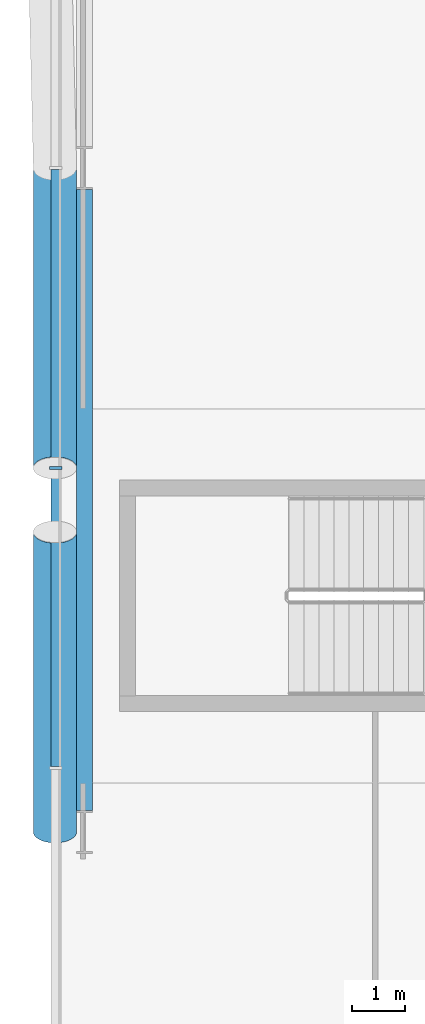
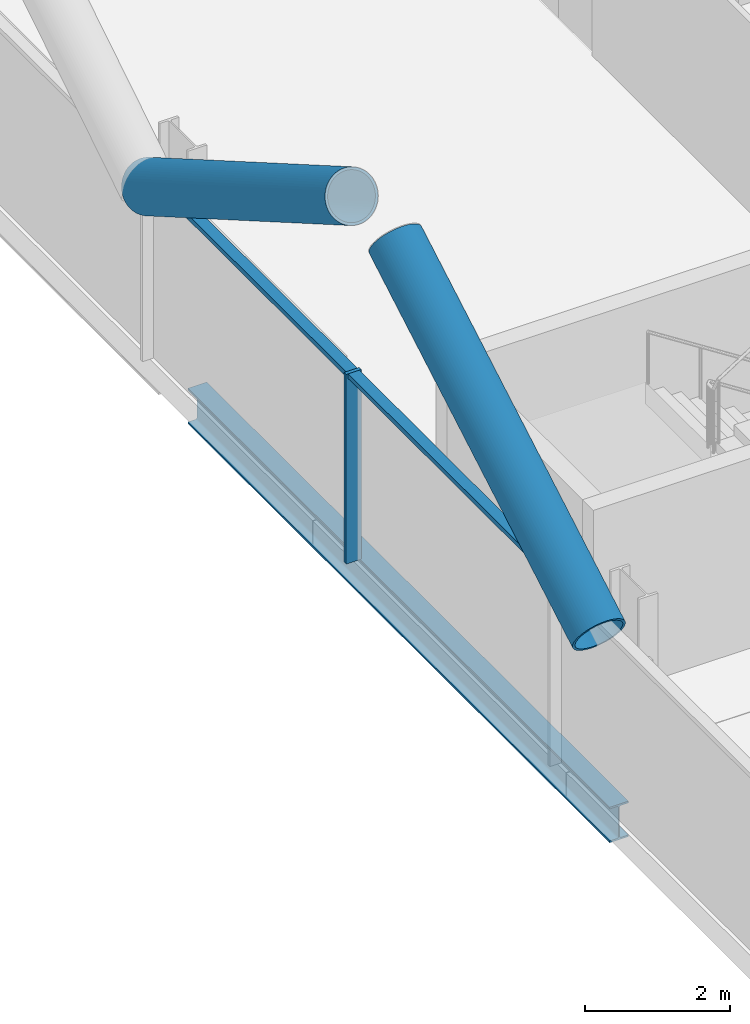
# One storey, part 6 of 26: 5 members, 1 beam, 1 element without a shape of its own.
"""IFC4 building model written with IfcOpenShell, lengths in metres."""

from ifc_helpers import new_model, si_unit, direction, frame, origin, origin_2d, place, context, subcontext, project, spatial, rectangle, hollow_circle, i_section, extrude, material, material_profile, profile_set, type_object, element, aggregate, save


model = new_model("IFC4")

# Units and contexts
model_context = context("Model", 3, precision=1e-05, world=origin(), true_north=direction((0.0, 1.0)))
body_context = subcontext(model_context, "Body", "Model", "MODEL_VIEW")
ifc_project = project(units=[si_unit("LENGTHUNIT", "METRE"), si_unit("AREAUNIT", "SQUARE_METRE"), si_unit("VOLUMEUNIT", "CUBIC_METRE"), si_unit("PLANEANGLEUNIT", "RADIAN"), si_unit("MASSUNIT", "GRAM", prefix="KILO")], contexts=[model_context])

# Site, building, storey
site_placement = place(None, origin())
site = spatial("IfcSite", under=ifc_project, at=site_placement, CompositionType="ELEMENT")
building_placement = place(site_placement, origin())
building = spatial("IfcBuilding", under=site, at=building_placement, Name="Wharfspan Tower", CompositionType="ELEMENT")
storey_placement = place(building_placement, frame((0.0, 0.0, 114.699951)))
storey = spatial("IfcBuildingStorey", under=building, at=storey_placement, Name="L26", CompositionType="ELEMENT", Elevation=114.699951)

# Beam
ifc_material_1 = material(Name="Steel S355J2", Category="steel")
ifc_material_profile_1 = material_profile(ifc_material_1, i_section(OverallWidth=0.300049, OverallDepth=0.600098, WebThickness=0.015381, FlangeThickness=0.030029, FilletRadius=0.0271, at=origin_2d()))
ifc_profile_set_1 = profile_set([ifc_material_profile_1], Name="Steel S355J2")
beam_type = type_object("IfcBeamType", Name="Edge beam HEB 600", PredefinedType="SPANDREL", material=ifc_profile_set_1)
beam_placement = place(storey_placement, frame((7.540039, 30.330322, -0.699951), z_axis=(0.0, -1.0, 0.0), x_axis=(1.0, 0.0, 0.0)))
element("IfcBeam", 1, at=beam_placement, inside=storey, type_object=beam_type, Name="Edge beam W L26 PW.1 to PW.2", PredefinedType="SPANDREL", context=body_context, shape_type="SweptSolid", body=[
    extrude(i_section(OverallWidth=0.300049, OverallDepth=0.600098, WebThickness=0.015381, FlangeThickness=0.030029, FilletRadius=0.0271, at=origin_2d()), origin(), (0.0, 0.0, 1.0), 11.660645),
])

# Curtain wall, member
ifc_material_2 = material(Name="Aluminium 6063-T6", Category="aluminium")
curtain_wall_type = type_object("IfcCurtainWallType", Name="CURTAIN WALL PROW AND END", PredefinedType="NOTDEFINED", material=ifc_material_2)
curtain_wall_placement = place(storey_placement, origin())
curtain_wall = element("IfcCurtainWall", 2, at=curtain_wall_placement, inside=storey, type_object=curtain_wall_type, Name="Curtain wall W", PredefinedType="NOTDEFINED")
ifc_material_profile_2 = material_profile(ifc_material_2, rectangle(XDim=0.23999, YDim=0.060059, at=origin_2d()))
ifc_profile_set_2 = profile_set([ifc_material_profile_2], Name="Aluminium 6063-T6")
member_type_1 = type_object("IfcMemberType", Name="MULLION PROW AND END 60x240", PredefinedType="MULLION", material=ifc_profile_set_2)
member_1_placement = place(storey_placement, frame((7.0, 25.100098, 0.0), z_axis=(0.0, 0.0, 1.0), x_axis=(1.0, 0.0, 0.0)))
member_1 = element("IfcMember", 3, at=member_1_placement, type_object=member_type_1, Name="Curtain wall W mullion 4", PredefinedType="MULLION", context=body_context, shape_type="SweptSolid", body=[
    extrude(rectangle(XDim=0.23999, YDim=0.060059, at=origin_2d()), origin(), (0.0, 0.0, 1.0), 3.199951),
])

# Members
ifc_material_3 = material(Name="Steel S460NH", Category="steel")
ifc_material_profile_3 = material_profile(ifc_material_3, hollow_circle(Radius=0.406494, WallThickness=0.040039, at=origin_2d()))
ifc_profile_set_3 = profile_set([ifc_material_profile_3], Name="Steel S460NH")
member_type_2 = type_object("IfcMemberType", Name="Mega brace CHS 813x40", PredefinedType="BRACE", material=ifc_profile_set_3)
for number, where, z_axis, x_axis, name in (
    (4, (6.985107, 30.733398, 2.900146), (0.0, -0.865959, 0.500115), (1.0, 0.0, 0.0), "Mega brace W3 L27 part 1"),
    (5, (6.985107, 18.266602, 2.900146), (0.0, 0.865959, 0.500115), (-1.0, 0.0, 0.0), "Mega brace W3 L27 part 3"),
):
    element("IfcMember", number, at=place(storey_placement, frame(where, z_axis=z_axis, x_axis=x_axis)), inside=storey, type_object=member_type_2, Name=name, PredefinedType="BRACE", context=body_context, shape_type="SweptSolid", body=[
        extrude(hollow_circle(Radius=0.406494, WallThickness=0.040039, at=origin_2d()), origin(), (0.0, 0.0, 1.0), 6.498535),
    ])

# Member
ifc_material_profile_4 = material_profile(ifc_material_2, rectangle(XDim=0.179932, YDim=0.080078, at=origin_2d()))
ifc_profile_set_4 = profile_set([ifc_material_profile_4], Name="Aluminium 6063-T6")
member_type_3 = type_object("IfcMemberType", Name="TRANSOM PROW AND END 80x180", PredefinedType="USERDEFINED", material=ifc_profile_set_4)
member_2_placement = place(storey_placement, frame((7.0, 30.703369, 3.160156), z_axis=(0.0, -1.0, 0.0), x_axis=(1.0, 0.0, 0.0)))
member_2 = element("IfcMember", 6, at=member_2_placement, type_object=member_type_3, Name="Curtain wall W transom 3", ObjectType="TRANSOM", PredefinedType="USERDEFINED", context=body_context, shape_type="SweptSolid", body=[
    extrude(rectangle(XDim=0.179932, YDim=0.080078, at=origin_2d()), origin(), (0.0, 0.0, 1.0), 5.573486),
])

member_3_placement = place(storey_placement, frame((7.0, 25.070068, 3.160156), z_axis=(0.0, -1.0, 0.0), x_axis=(1.0, 0.0, 0.0)))
member_3 = element("IfcMember", 7, at=member_3_placement, type_object=member_type_3, Name="Curtain wall W transom 4", ObjectType="TRANSOM", PredefinedType="USERDEFINED", context=body_context, shape_type="SweptSolid", body=[
    extrude(rectangle(XDim=0.179932, YDim=0.080078, at=origin_2d()), origin(), (0.0, 0.0, 1.0), 5.573486),
])

aggregate(curtain_wall, [member_1, member_2, member_3])

save(model, "model.ifc")
